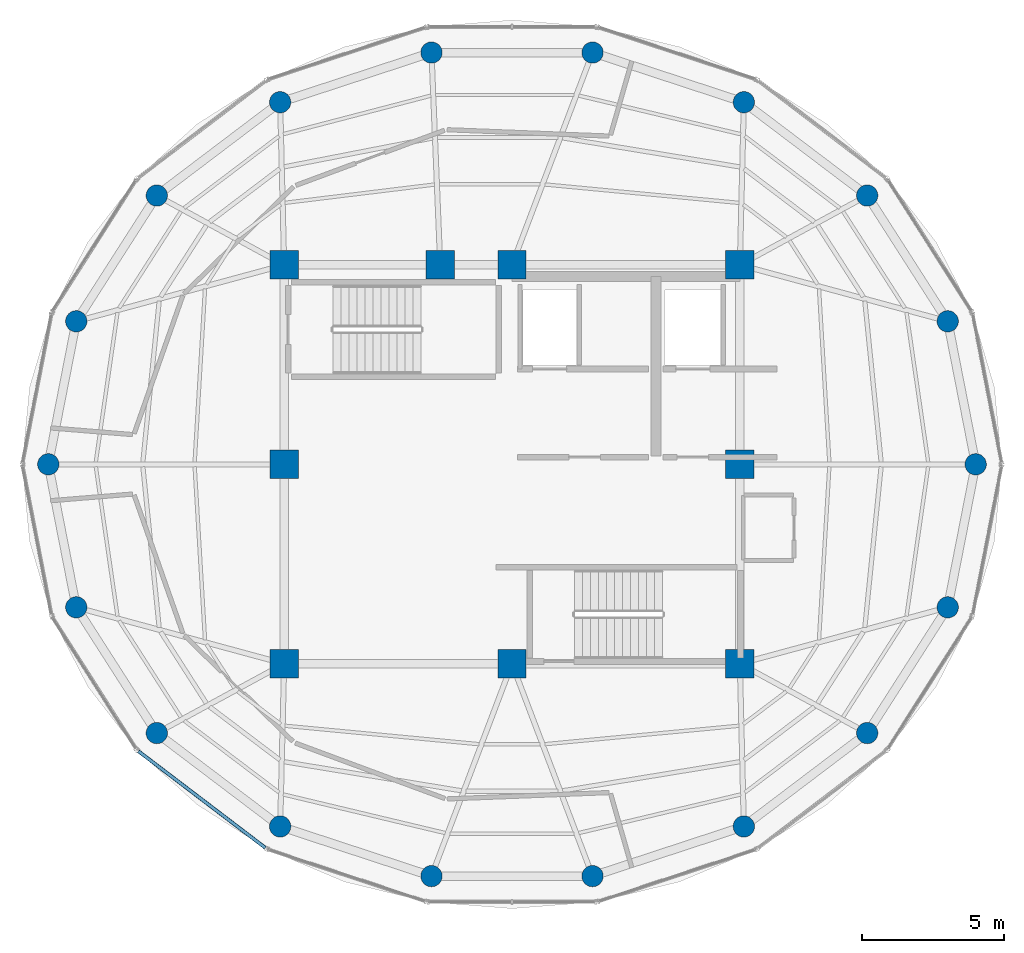
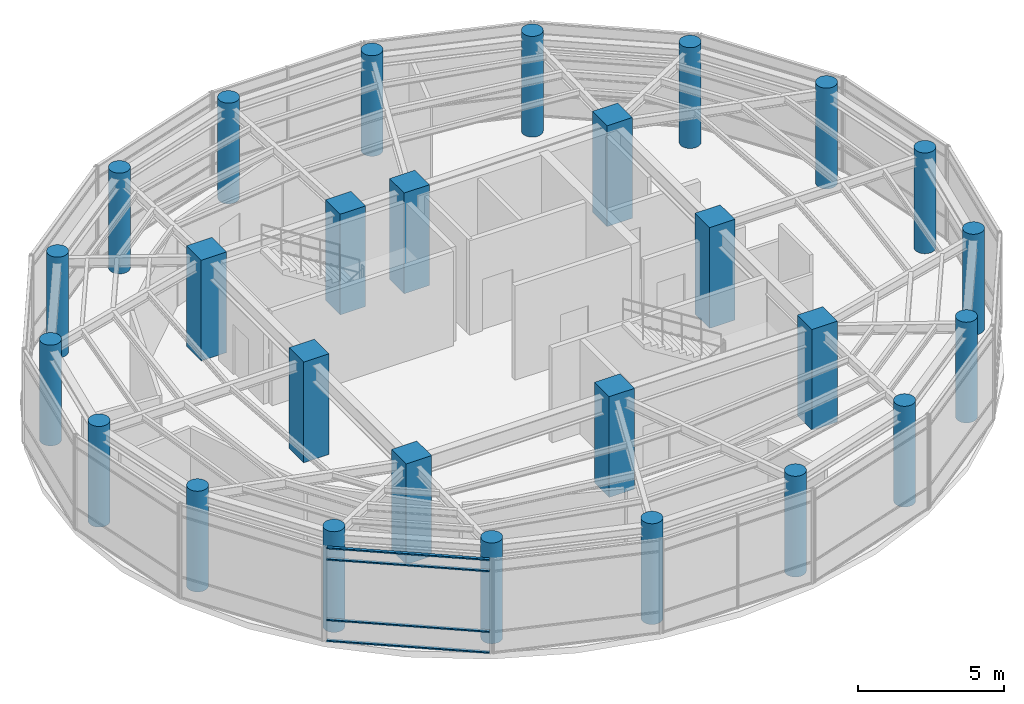
# One storey, part 1 of 19: 27 columns, 4 members, 1 element without a shape of its own.
"""IFC4 building model written with IfcOpenShell, lengths in metres."""

from ifc_helpers import new_model, si_unit, direction, frame, origin, origin_2d, place, context, subcontext, project, spatial, rectangle, hollow_rectangle, circle, extrude, material, layer, layer_set, material_profile, profile_set, type_object, element, aggregate, save


model = new_model("IFC4")

# Units and contexts
model_context = context("Model", 3, precision=1e-05, world=origin(), true_north=direction((0.0, 1.0)))
body_context = subcontext(model_context, "Body", "Model", "MODEL_VIEW")
ifc_project = project(units=[si_unit("LENGTHUNIT", "METRE"), si_unit("AREAUNIT", "SQUARE_METRE"), si_unit("VOLUMEUNIT", "CUBIC_METRE"), si_unit("PLANEANGLEUNIT", "RADIAN"), si_unit("MASSUNIT", "GRAM", prefix="KILO")], contexts=[model_context])

# Site, building, storey
site_placement = place(None, origin())
site = spatial("IfcSite", under=ifc_project, at=site_placement, CompositionType="ELEMENT")
building_placement = place(site_placement, origin())
building = spatial("IfcBuilding", under=site, at=building_placement, Name="Kelanora Arch Commons", CompositionType="ELEMENT")
storey_placement = place(building_placement, frame((0.0, 0.0, 302.699951171875)))
storey = spatial("IfcBuildingStorey", under=building, at=storey_placement, Name="L77", CompositionType="ELEMENT", Elevation=302.699951171875)

# Columns
ifc_material_1 = material(Name="Concrete C50/60", Category="concrete")
ifc_material_profile_1 = material_profile(ifc_material_1, circle(Radius=0.375, at=origin_2d()), Name="RCC750")
ifc_profile_set_1 = profile_set([ifc_material_profile_1], Name="Concrete C50/60")
column_type_1 = type_object("IfcColumnType", Name="COL-PERIM-Z6", PredefinedType="COLUMN", material=ifc_profile_set_1)
for number, where, z_axis, x_axis, name in (
    (1, (90.280029296875, 58.0, 0.0), (0.0, 0.0, 1.0), (1.0, 0.0, 0.0), "Perimeter Ring Column CP-00 L77"),
    (2, (89.298095703125, 63.02099609375, 0.0), (0.0, 0.0, 1.0), (1.0, 0.0, 0.0), "Perimeter Ring Column CP-02 L77"),
    (3, (86.47119140625, 67.43603515625, 0.0), (0.0, 0.0, 1.0), (1.0, 0.0, 0.0), "Perimeter Ring Column CP-04 L77"),
    (4, (82.139892578125, 70.71337890625, 0.0), (0.0, 0.0, 1.0), (1.0, 0.0, 0.0), "Perimeter Ring Column CP-06 L77"),
    (5, (76.826904296875, 72.45703125, 0.0), (0.0, 0.0, 1.0), (1.0, 0.0, 0.0), "Perimeter Ring Column CP-08 L77"),
    (6, (71.173095703125, 72.45703125, 0.0), (0.0, 0.0, 1.0), (1.0, 0.0, 0.0), "Perimeter Ring Column CP-10 L77"),
    (7, (65.860107421875, 70.71337890625, 0.0), (0.0, 0.0, 1.0), (1.0, 0.0, 0.0), "Perimeter Ring Column CP-12 L77"),
    (8, (61.52880859375, 67.43603515625, 0.0), (0.0, 0.0, 1.0), (1.0, 0.0, 0.0), "Perimeter Ring Column CP-14 L77"),
    (9, (58.701904296875, 63.02099609375, 0.0), (0.0, 0.0, 1.0), (1.0, 0.0, 0.0), "Perimeter Ring Column CP-16 L77"),
    (10, (57.719970703125, 58.0, 0.0), (0.0, 0.0, 1.0), (1.0, 0.0, 0.0), "Perimeter Ring Column CP-18 L77"),
    (11, (58.701904296875, 52.97900390625, 0.0), (0.0, 0.0, 1.0), (1.0, 0.0, 0.0), "Perimeter Ring Column CP-20 L77"),
    (12, (61.52880859375, 48.56396484375, 0.0), (0.0, 0.0, 1.0), (1.0, 0.0, 0.0), "Perimeter Ring Column CP-22 L77"),
    (13, (65.860107421875, 45.28662109375, 0.0), (0.0, 0.0, 1.0), (1.0, 0.0, 0.0), "Perimeter Ring Column CP-24 L77"),
    (14, (71.173095703125, 43.54296875, 0.0), (0.0, 0.0, 1.0), (1.0, 0.0, 0.0), "Perimeter Ring Column CP-26 L77"),
    (15, (76.826904296875, 43.54296875, 0.0), (0.0, 0.0, 1.0), (1.0, 0.0, 0.0), "Perimeter Ring Column CP-28 L77"),
    (16, (82.139892578125, 45.28662109375, 0.0), (0.0, 0.0, 1.0), (1.0, 0.0, 0.0), "Perimeter Ring Column CP-30 L77"),
    (17, (86.47119140625, 48.56396484375, 0.0), (0.0, 0.0, 1.0), (1.0, 0.0, 0.0), "Perimeter Ring Column CP-32 L77"),
    (18, (89.298095703125, 52.97900390625, 0.0), (0.0, 0.0, 1.0), (1.0, 0.0, 0.0), "Perimeter Ring Column CP-34 L77"),
):
    element("IfcColumn", number, at=place(storey_placement, frame(where, z_axis=z_axis, x_axis=x_axis)), inside=storey, type_object=column_type_1, Name=name, PredefinedType="COLUMN", context=body_context, shape_type="SweptSolid", body=[
        extrude(circle(Radius=0.375, at=origin_2d()), origin(), (0.0, 0.0, 1.0), 4.199951171875),
    ])
ifc_material_profile_2 = material_profile(ifc_material_1, rectangle(XDim=1.0, YDim=1.0, at=origin_2d()), Name="RC1000x1000")
ifc_profile_set_2 = profile_set([ifc_material_profile_2], Name="Concrete C50/60")
column_type_2 = type_object("IfcColumnType", Name="COL-PIL-HIGH", PredefinedType="PILASTER", material=ifc_profile_set_2)
for number, where, z_axis, x_axis, name in (
    (19, (66.0, 51.0, 0.0), (0.0, 0.0, 1.0), (1.0, 0.0, 0.0), "Core Pilaster Column CP1 L77"),
    (20, (74.0, 51.0, 0.0), (0.0, 0.0, 1.0), (1.0, 0.0, 0.0), "Core Pilaster Column CP2 L77"),
    (21, (82.0, 51.0, 0.0), (0.0, 0.0, 1.0), (1.0, 0.0, 0.0), "Core Pilaster Column CP3 L77"),
    (22, (82.0, 58.0, 0.0), (0.0, 0.0, 1.0), (1.0, 0.0, 0.0), "Core Pilaster Column CP4 L77"),
    (23, (82.0, 65.0, 0.0), (0.0, 0.0, 1.0), (1.0, 0.0, 0.0), "Core Pilaster Column CP5 L77"),
    (24, (74.0, 65.0, 0.0), (0.0, 0.0, 1.0), (1.0, 0.0, 0.0), "Core Pilaster Column CP6 L77"),
    (25, (71.47998046875, 65.0, 0.0), (0.0, 0.0, 1.0), (1.0, 0.0, 0.0), "Core Pilaster Column CP9 L77"),
    (26, (66.0, 65.0, 0.0), (0.0, 0.0, 1.0), (1.0, 0.0, 0.0), "Core Pilaster Column CP7 L77"),
    (27, (66.0, 58.0, 0.0), (0.0, 0.0, 1.0), (1.0, 0.0, 0.0), "Core Pilaster Column CP8 L77"),
):
    element("IfcColumn", number, at=place(storey_placement, frame(where, z_axis=z_axis, x_axis=x_axis)), inside=storey, type_object=column_type_2, Name=name, PredefinedType="PILASTER", context=body_context, shape_type="SweptSolid", body=[
        extrude(rectangle(XDim=1.0, YDim=1.0, at=origin_2d()), origin(), (0.0, 0.0, 1.0), 4.199951171875),
    ])

# Curtain wall, members
ifc_material_2 = material(Name="Terracotta ceramic-fritted low-E glass and aluminium", Category="masonry")
ifc_layer = layer(ifc_material_2, 0.14990234375)
ifc_layer_set = layer_set([ifc_layer], Name="Terracotta ceramic-fritted low-E glass and aluminium")
curtain_wall_type = type_object("IfcCurtainWallType", Name="CW-SYS-06", PredefinedType="NOTDEFINED", material=ifc_layer_set)
curtain_wall_placement = place(storey_placement, origin())
curtain_wall = element("IfcCurtainWall", 28, at=curtain_wall_placement, inside=storey, type_object=curtain_wall_type, Name="Unitised Curtain Wall L77-B11", PredefinedType="NOTDEFINED")
ifc_material_3 = material(Name="Powder-coated aluminium terracotta", Category="masonry")
ifc_material_profile_3 = material_profile(ifc_material_3, hollow_rectangle(XDim=0.1201171875, YDim=0.06005859375, WallThickness=0.0048828125, InnerFilletRadius=0.0048828125, OuterFilletRadius=0.010009765625, at=origin_2d()), Name="CWT120x60")
ifc_profile_set_3 = profile_set([ifc_material_profile_3], Name="Powder-coated aluminium terracotta")
member_type = type_object("IfcMemberType", Name="CWT-STD", PredefinedType="USERDEFINED", material=ifc_profile_set_3)
member_1_placement = place(storey_placement, frame((60.883544921875, 47.927001953125, 0.030029296875), z_axis=(0.79577982782, -0.605586051387, 0.0), x_axis=(0.605586051387, 0.79577982782, 0.0)))
member_1 = element("IfcMember", 29, at=member_1_placement, type_object=member_type, Name="CW-06 transom 1.1", ObjectType="TRANSOM", PredefinedType="USERDEFINED", context=body_context, shape_type="SweptSolid", body=[
    extrude(hollow_rectangle(XDim=0.1201171875, YDim=0.06005859375, WallThickness=0.0048828125, InnerFilletRadius=0.0048828125, OuterFilletRadius=0.010009765625, at=origin_2d()), origin(), (0.0, 0.0, 1.0), 5.6005859375),
])
member_2_placement = place(storey_placement, frame((60.883544921875, 47.927001953125, 0.900146484375), z_axis=(0.79577982782, -0.605586051387, 0.0), x_axis=(0.605586051387, 0.79577982782, 0.0)))
member_2 = element("IfcMember", 30, at=member_2_placement, type_object=member_type, Name="CW-06 transom 1.2", ObjectType="TRANSOM", PredefinedType="USERDEFINED", context=body_context, shape_type="SweptSolid", body=[
    extrude(hollow_rectangle(XDim=0.1201171875, YDim=0.06005859375, WallThickness=0.0048828125, InnerFilletRadius=0.0048828125, OuterFilletRadius=0.010009765625, at=origin_2d()), origin(), (0.0, 0.0, 1.0), 5.6005859375),
])
member_3_placement = place(storey_placement, frame((60.883544921875, 47.927001953125, 3.425048828125), z_axis=(0.79577982782, -0.605586051387, 0.0), x_axis=(0.605586051387, 0.79577982782, 0.0)))
member_3 = element("IfcMember", 31, at=member_3_placement, type_object=member_type, Name="CW-06 transom 1.3", ObjectType="TRANSOM", PredefinedType="USERDEFINED", context=body_context, shape_type="SweptSolid", body=[
    extrude(hollow_rectangle(XDim=0.1201171875, YDim=0.06005859375, WallThickness=0.0048828125, InnerFilletRadius=0.0048828125, OuterFilletRadius=0.010009765625, at=origin_2d()), origin(), (0.0, 0.0, 1.0), 5.6005859375),
])
member_4_placement = place(storey_placement, frame((60.883544921875, 47.927001953125, 3.89501953125), z_axis=(0.79577982782, -0.605586051387, 0.0), x_axis=(0.605586051387, 0.79577982782, 0.0)))
member_4 = element("IfcMember", 32, at=member_4_placement, type_object=member_type, Name="CW-06 transom 1.4", ObjectType="TRANSOM", PredefinedType="USERDEFINED", context=body_context, shape_type="SweptSolid", body=[
    extrude(hollow_rectangle(XDim=0.1201171875, YDim=0.06005859375, WallThickness=0.0048828125, InnerFilletRadius=0.0048828125, OuterFilletRadius=0.010009765625, at=origin_2d()), origin(), (0.0, 0.0, 1.0), 5.6005859375),
])
aggregate(curtain_wall, [member_1, member_2, member_3, member_4])

save(model, "model.ifc")
